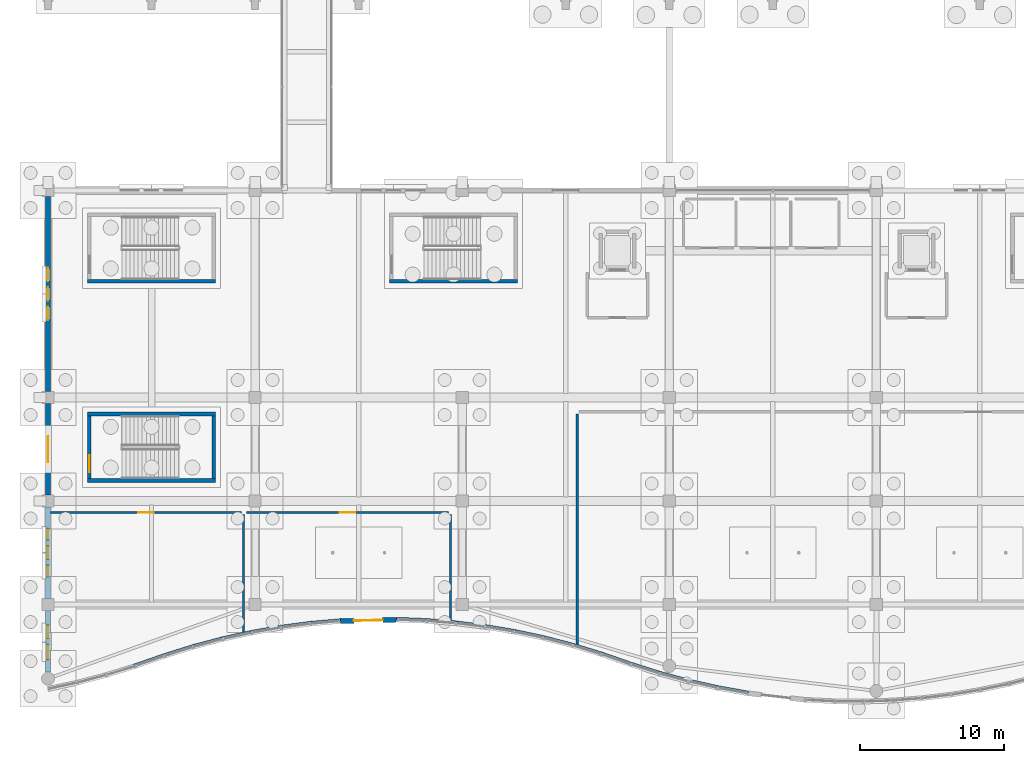
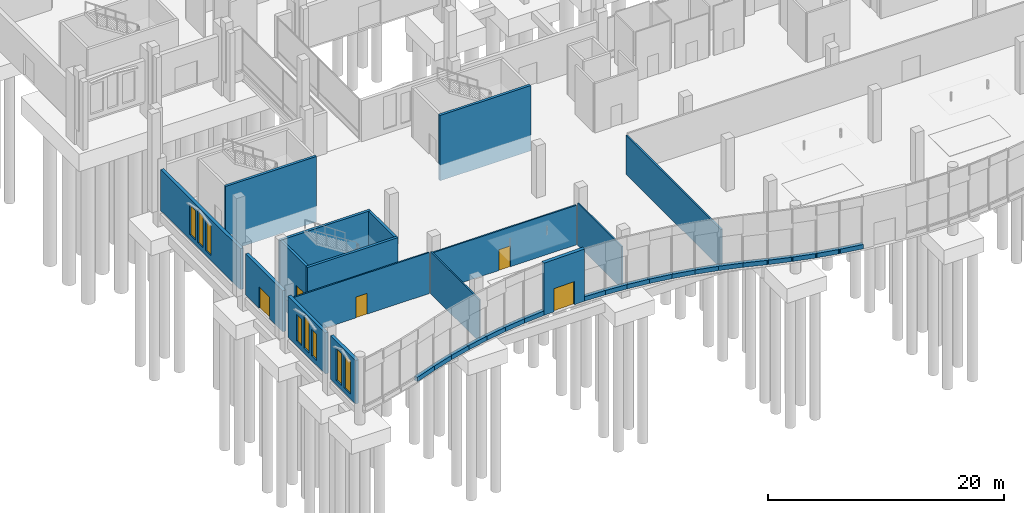
# One storey, part 130 of 192: 36 walls, 8 windows, 5 doors, 13 openings.
"""IFC4 building model written with IfcOpenShell, lengths in metres."""

from ifc_helpers import new_model, si_unit, direction, frame, frame_2d, origin, place, context, subcontext, project, spatial, rectangle, extrude, material, layer, layer_set, type_object, element, fill, save


model = new_model("IFC4")

# Units and contexts
model_context = context("Model", 3, precision=1e-05, world=origin(), true_north=direction((0.0, 1.0)))
body_context = subcontext(model_context, "Body", "Model", "MODEL_VIEW")
ifc_project = project(units=[si_unit("LENGTHUNIT", "METRE"), si_unit("AREAUNIT", "SQUARE_METRE"), si_unit("VOLUMEUNIT", "CUBIC_METRE"), si_unit("PLANEANGLEUNIT", "RADIAN"), si_unit("MASSUNIT", "GRAM", prefix="KILO")], contexts=[model_context])

# Site, building, storey
site_placement = place(None, origin())
site = spatial("IfcSite", under=ifc_project, at=site_placement, CompositionType="ELEMENT")
building_placement = place(site_placement, origin())
building = spatial("IfcBuilding", under=site, at=building_placement, Name="Cendralis Lancet Convention Centre", CompositionType="ELEMENT")
storey_placement = place(building_placement, origin())
storey = spatial("IfcBuildingStorey", under=building, at=storey_placement, Name="L00", CompositionType="ELEMENT", Elevation=0.0)

# Wall, openings, windows
ifc_material_1 = material(Name="Buff sandstone ashlar and Concrete G40 (C40/50)", Category="masonry")
ifc_layer_1 = layer(ifc_material_1, 0.320068359375, Name="Buff sandstone ashlar and Concrete G40 (C40/50)")
ifc_layer_set_1 = layer_set([ifc_layer_1], Name="Buff sandstone ashlar and Concrete G40 (C40/50)")
wall_type_1 = type_object("IfcWallType", Name="ARC-EW-W320", PredefinedType="STANDARD", material=ifc_layer_set_1)
wall_1_placement = place(storey_placement, frame((0.0, 2.50341796875, 0.0), z_axis=(0.0, 0.0, 1.0), x_axis=(0.0, 1.0, 0.0)))
wall_1 = element("IfcWall", 1, at=wall_1_placement, inside=storey, type_object=wall_type_1, Name="L00 V4 Exterior Wall EW-06 #0185", PredefinedType="STANDARD", context=body_context, shape_type="SweptSolid", body=[
    extrude(rectangle(XDim=4.263671875, YDim=0.320068359375, at=frame_2d((2.1318359375, 0.0))), origin(), (0.0, 0.0, 1.0), 4.5048828125),
])
opening_1_placement = place(wall_1_placement, frame((0.871826171875, 0.0, 0.5)))
opening_1 = element("IfcOpeningElement", 2, at=opening_1_placement, cuts=wall_1, Name="Opening WN-06", PredefinedType="OPENING", context=body_context, shape_type="SweptSolid", body=[
    extrude(rectangle(XDim=1.0400390625, YDim=3.47998046875, at=frame_2d((0.52001953125, 1.739990234375))), frame((0.0, 0.169921875, 0.0), z_axis=(0.0, -1.0, 0.0), x_axis=(1.0, 0.0, 0.0)), (0.0, 0.0, 1.0), 0.340087890625),
])
opening_2_placement = place(wall_1_placement, frame((2.351806640625, 0.0, 0.5)))
opening_2 = element("IfcOpeningElement", 3, at=opening_2_placement, cuts=wall_1, Name="Opening WN-04", PredefinedType="OPENING", context=body_context, shape_type="SweptSolid", body=[
    extrude(rectangle(XDim=0.919921875, YDim=3.300048828125, at=frame_2d((0.4599609375, 1.64990234375))), frame((0.0, 0.169921875, 0.0), z_axis=(0.0, -1.0, 0.0), x_axis=(1.0, 0.0, 0.0)), (0.0, 0.0, 1.0), 0.340087890625),
])
ifc_material_2 = material(Name="Double-glazed low-E solar-control glass", Category="glass")
window_type_1 = type_object("IfcWindowType", Name="ARC-WN-LW04", PartitioningType="SINGLE_PANEL", PredefinedType="WINDOW", material=ifc_material_2)
window_1_placement = place(opening_2_placement, origin())
window_1 = element("IfcWindow", 4, at=window_1_placement, inside=storey, type_object=window_type_1, Name="Gothic Lancet Window WN-04 #0360", OverallHeight=3.300048828125, OverallWidth=0.919921875, PartitioningType="SINGLE_PANEL", PredefinedType="WINDOW", context=body_context, shape_type="SweptSolid", body=[
    extrude(rectangle(XDim=0.919921875, YDim=3.300048828125, at=frame_2d((0.4599609375, 1.64990234375))), frame((0.0, 0.030029296875, 0.0), z_axis=(0.0, -1.0, 0.0), x_axis=(1.0, 0.0, 0.0)), (0.0, 0.0, 1.0), 0.06005859375),
])
fill(opening_2, window_1)
window_type_2 = type_object("IfcWindowType", Name="ARC-WN-LW06", PartitioningType="SINGLE_PANEL", PredefinedType="WINDOW", material=ifc_material_2)
window_2_placement = place(opening_1_placement, origin())
window_2 = element("IfcWindow", 5, at=window_2_placement, inside=storey, type_object=window_type_2, Name="Gothic Lancet Window WN-06 #0359", OverallHeight=3.47998046875, OverallWidth=1.0400390625, PartitioningType="SINGLE_PANEL", PredefinedType="WINDOW", context=body_context, shape_type="SweptSolid", body=[
    extrude(rectangle(XDim=1.0400390625, YDim=3.47998046875, at=frame_2d((0.52001953125, 1.739990234375))), frame((0.0, 0.030029296875, 0.0), z_axis=(0.0, -1.0, 0.0), x_axis=(1.0, 0.0, 0.0)), (0.0, 0.0, 1.0), 0.06005859375),
])
fill(opening_1, window_2)

wall_2_placement = place(storey_placement, frame((0.0, 7.633056640625, 0.0), z_axis=(0.0, 0.0, 1.0), x_axis=(0.0, 1.0, 0.0)))
wall_2 = element("IfcWall", 6, at=wall_2_placement, inside=storey, type_object=wall_type_1, Name="L00 V4 Exterior Wall EW-06 #0186", PredefinedType="STANDARD", context=body_context, shape_type="SweptSolid", body=[
    extrude(rectangle(XDim=6.333984375, YDim=0.320068359375, at=frame_2d((3.1669921875, 0.0))), origin(), (0.0, 0.0, 1.0), 4.2548828125),
])
opening_3_placement = place(wall_2_placement, frame((1.487060546875, 0.0, 0.5)))
opening_3 = element("IfcOpeningElement", 7, at=opening_3_placement, cuts=wall_2, Name="Opening WN-07", PredefinedType="OPENING", context=body_context, shape_type="SweptSolid", body=[
    extrude(rectangle(XDim=0.800048828125, YDim=2.75, at=frame_2d((0.39990234375, 1.375))), frame((0.0, 0.169921875, 0.0), z_axis=(0.0, -1.0, 0.0), x_axis=(1.0, 0.0, 0.0)), (0.0, 0.0, 1.0), 0.340087890625),
])
opening_4_placement = place(wall_2_placement, frame((2.70703125, 0.0, 0.5)))
opening_4 = element("IfcOpeningElement", 8, at=opening_4_placement, cuts=wall_2, Name="Opening WN-04", PredefinedType="OPENING", context=body_context, shape_type="SweptSolid", body=[
    extrude(rectangle(XDim=0.919921875, YDim=3.300048828125, at=frame_2d((0.4599609375, 1.64990234375))), frame((0.0, 0.169921875, 0.0), z_axis=(0.0, -1.0, 0.0), x_axis=(1.0, 0.0, 0.0)), (0.0, 0.0, 1.0), 0.340087890625),
])
opening_5_placement = place(wall_2_placement, frame((4.047119140625, 0.0, 0.5)))
opening_5 = element("IfcOpeningElement", 9, at=opening_5_placement, cuts=wall_2, Name="Opening WN-07", PredefinedType="OPENING", context=body_context, shape_type="SweptSolid", body=[
    extrude(rectangle(XDim=0.800048828125, YDim=2.75, at=frame_2d((0.39990234375, 1.375))), frame((0.0, 0.169921875, 0.0), z_axis=(0.0, -1.0, 0.0), x_axis=(1.0, 0.0, 0.0)), (0.0, 0.0, 1.0), 0.340087890625),
])
window_3_placement = place(opening_4_placement, origin())
window_3 = element("IfcWindow", 10, at=window_3_placement, inside=storey, type_object=window_type_1, Name="Gothic Lancet Window WN-04 #0362", OverallHeight=3.300048828125, OverallWidth=0.919921875, PartitioningType="SINGLE_PANEL", PredefinedType="WINDOW", context=body_context, shape_type="SweptSolid", body=[
    extrude(rectangle(XDim=0.919921875, YDim=3.300048828125, at=frame_2d((0.4599609375, 1.64990234375))), frame((0.0, 0.030029296875, 0.0), z_axis=(0.0, -1.0, 0.0), x_axis=(1.0, 0.0, 0.0)), (0.0, 0.0, 1.0), 0.06005859375),
])
fill(opening_4, window_3)
window_type_3 = type_object("IfcWindowType", Name="ARC-WN-LW07", PartitioningType="SINGLE_PANEL", PredefinedType="WINDOW", material=ifc_material_2)
window_4_placement = place(opening_3_placement, origin())
window_4 = element("IfcWindow", 11, at=window_4_placement, inside=storey, type_object=window_type_3, Name="Gothic Lancet Window WN-07 #0361", OverallHeight=2.75, OverallWidth=0.800048828125, PartitioningType="SINGLE_PANEL", PredefinedType="WINDOW", context=body_context, shape_type="SweptSolid", body=[
    extrude(rectangle(XDim=0.800048828125, YDim=2.75, at=frame_2d((0.39990234375, 1.375))), frame((0.0, 0.030029296875, 0.0), z_axis=(0.0, -1.0, 0.0), x_axis=(1.0, 0.0, 0.0)), (0.0, 0.0, 1.0), 0.06005859375),
])
fill(opening_3, window_4)
window_5_placement = place(opening_5_placement, origin())
window_5 = element("IfcWindow", 12, at=window_5_placement, inside=storey, type_object=window_type_3, Name="Gothic Lancet Window WN-07 #0363", OverallHeight=2.75, OverallWidth=0.800048828125, PartitioningType="SINGLE_PANEL", PredefinedType="WINDOW", context=body_context, shape_type="SweptSolid", body=[
    extrude(rectangle(XDim=0.800048828125, YDim=2.75, at=frame_2d((0.39990234375, 1.375))), frame((0.0, 0.030029296875, 0.0), z_axis=(0.0, -1.0, 0.0), x_axis=(1.0, 0.0, 0.0)), (0.0, 0.0, 1.0), 0.06005859375),
])
fill(opening_5, window_5)

# Wall, opening, door
wall_3_placement = place(storey_placement, frame((0.0, 14.8330078125, 0.0), z_axis=(0.0, 0.0, 1.0), x_axis=(0.0, 1.0, 0.0)))
wall_3 = element("IfcWall", 13, at=wall_3_placement, inside=storey, type_object=wall_type_1, Name="L00 V4 Exterior Wall EW-06 #0187", PredefinedType="STANDARD", context=body_context, shape_type="SweptSolid", body=[
    extrude(rectangle(XDim=6.333984375, YDim=0.320068359375, at=frame_2d((3.1669921875, 0.0))), origin(), (0.0, 0.0, 1.0), 4.2548828125),
])
opening_6_placement = place(wall_3_placement, frame((2.26708984375, 0.0, 0.0)))
opening_6 = element("IfcOpeningElement", 14, at=opening_6_placement, cuts=wall_3, Name="Opening EX-D1", PredefinedType="OPENING", context=body_context, shape_type="SweptSolid", body=[
    extrude(rectangle(XDim=1.800048828125, YDim=2.25, at=frame_2d((0.89990234375, 1.125))), frame((0.0, 0.169921875, 0.0), z_axis=(0.0, -1.0, 0.0), x_axis=(1.0, 0.0, 0.0)), (0.0, 0.0, 1.0), 0.340087890625),
])
ifc_material_3 = material(Name="Anodised bronze architectural aluminium", Category="aluminium")
door_type_1 = type_object("IfcDoorType", Name="ARC-DR-EX18", OperationType="NOTDEFINED", PredefinedType="DOOR", material=ifc_material_3)
door_1_placement = place(opening_6_placement, origin())
door_1 = element("IfcDoor", 15, at=door_1_placement, inside=storey, type_object=door_type_1, Name="L00-D046 Pedestrian Final Exit Door EX-48 #048", OperationType="DOUBLE_DOOR_SINGLE_SWING", OverallHeight=2.25, OverallWidth=1.800048828125, PredefinedType="DOOR", context=body_context, shape_type="SweptSolid", body=[
    extrude(rectangle(XDim=1.800048828125, YDim=2.25, at=frame_2d((0.89990234375, 1.125))), frame((0.0, 0.02490234375, 0.0), z_axis=(0.0, -1.0, 0.0), x_axis=(1.0, 0.0, 0.0)), (0.0, 0.0, 1.0), 0.050048828125),
])
fill(opening_6, door_1)

# Wall, openings, windows
wall_4_placement = place(storey_placement, frame((0.0, 22.032958984375, 0.0), z_axis=(0.0, 0.0, 1.0), x_axis=(0.0, 1.0, 0.0)))
wall_4 = element("IfcWall", 16, at=wall_4_placement, inside=storey, type_object=wall_type_1, Name="L00 V4 Exterior Wall EW-06 #0188", PredefinedType="STANDARD", context=body_context, shape_type="SweptSolid", body=[
    extrude(rectangle(XDim=13.533935546875, YDim=0.320068359375, at=frame_2d((6.76708984375, 0.0))), origin(), (0.0, 0.0, 1.0), 4.2548828125),
])
opening_7_placement = place(wall_4_placement, frame((4.947021484375, 0.0, 0.5)))
opening_7 = element("IfcOpeningElement", 17, at=opening_7_placement, cuts=wall_4, Name="Opening WN-09", PredefinedType="OPENING", context=body_context, shape_type="SweptSolid", body=[
    extrude(rectangle(XDim=0.93994140625, YDim=3.10009765625, at=frame_2d((0.469970703125, 1.550048828125))), frame((0.0, 0.169921875, 0.0), z_axis=(0.0, -1.0, 0.0), x_axis=(1.0, 0.0, 0.0)), (0.0, 0.0, 1.0), 0.340087890625),
])
opening_8_placement = place(wall_4_placement, frame((6.306884765625, 0.0, 0.5)))
opening_8 = element("IfcOpeningElement", 18, at=opening_8_placement, cuts=wall_4, Name="Opening WN-04", PredefinedType="OPENING", context=body_context, shape_type="SweptSolid", body=[
    extrude(rectangle(XDim=0.919921875, YDim=3.300048828125, at=frame_2d((0.4599609375, 1.64990234375))), frame((0.0, 0.169921875, 0.0), z_axis=(0.0, -1.0, 0.0), x_axis=(1.0, 0.0, 0.0)), (0.0, 0.0, 1.0), 0.340087890625),
])
opening_9_placement = place(wall_4_placement, frame((7.64697265625, 0.0, 0.5)))
opening_9 = element("IfcOpeningElement", 19, at=opening_9_placement, cuts=wall_4, Name="Opening WN-09", PredefinedType="OPENING", context=body_context, shape_type="SweptSolid", body=[
    extrude(rectangle(XDim=0.93994140625, YDim=3.10009765625, at=frame_2d((0.469970703125, 1.550048828125))), frame((0.0, 0.169921875, 0.0), z_axis=(0.0, -1.0, 0.0), x_axis=(1.0, 0.0, 0.0)), (0.0, 0.0, 1.0), 0.340087890625),
])
window_6_placement = place(opening_8_placement, origin())
window_6 = element("IfcWindow", 20, at=window_6_placement, inside=storey, type_object=window_type_1, Name="Gothic Lancet Window WN-04 #0365", OverallHeight=3.300048828125, OverallWidth=0.919921875, PartitioningType="SINGLE_PANEL", PredefinedType="WINDOW", context=body_context, shape_type="SweptSolid", body=[
    extrude(rectangle(XDim=0.919921875, YDim=3.300048828125, at=frame_2d((0.4599609375, 1.64990234375))), frame((0.0, 0.030029296875, 0.0), z_axis=(0.0, -1.0, 0.0), x_axis=(1.0, 0.0, 0.0)), (0.0, 0.0, 1.0), 0.06005859375),
])
fill(opening_8, window_6)
window_type_4 = type_object("IfcWindowType", Name="ARC-WN-LW09", PartitioningType="SINGLE_PANEL", PredefinedType="WINDOW", material=ifc_material_2)
window_7_placement = place(opening_7_placement, origin())
window_7 = element("IfcWindow", 21, at=window_7_placement, inside=storey, type_object=window_type_4, Name="Gothic Lancet Window WN-09 #0364", OverallHeight=3.10009765625, OverallWidth=0.93994140625, PartitioningType="SINGLE_PANEL", PredefinedType="WINDOW", context=body_context, shape_type="SweptSolid", body=[
    extrude(rectangle(XDim=0.93994140625, YDim=3.10009765625, at=frame_2d((0.469970703125, 1.550048828125))), frame((0.0, 0.030029296875, 0.0), z_axis=(0.0, -1.0, 0.0), x_axis=(1.0, 0.0, 0.0)), (0.0, 0.0, 1.0), 0.06005859375),
])
fill(opening_7, window_7)
window_8_placement = place(opening_9_placement, origin())
window_8 = element("IfcWindow", 22, at=window_8_placement, inside=storey, type_object=window_type_4, Name="Gothic Lancet Window WN-09 #0366", OverallHeight=3.10009765625, OverallWidth=0.93994140625, PartitioningType="SINGLE_PANEL", PredefinedType="WINDOW", context=body_context, shape_type="SweptSolid", body=[
    extrude(rectangle(XDim=0.93994140625, YDim=3.10009765625, at=frame_2d((0.469970703125, 1.550048828125))), frame((0.0, 0.030029296875, 0.0), z_axis=(0.0, -1.0, 0.0), x_axis=(1.0, 0.0, 0.0)), (0.0, 0.0, 1.0), 0.06005859375),
])
fill(opening_9, window_8)

# Walls
ifc_layer_2 = layer(ifc_material_1, 0.340087890625, Name="Buff sandstone ashlar and Concrete G40 (C40/50)")
ifc_layer_set_2 = layer_set([ifc_layer_2], Name="Buff sandstone ashlar and Concrete G40 (C40/50)")
wall_type_2 = type_object("IfcWallType", Name="ARC-EW-W340", PredefinedType="STANDARD", material=ifc_layer_set_2)
wall_5_placement = place(storey_placement, frame((5.99560546875, 2.89306640625, 0.0), z_axis=(0.0, 0.0, 1.0), x_axis=(0.94443416272, 0.328700642359, 0.0)))
element("IfcWall", 23, at=wall_5_placement, inside=storey, type_object=wall_type_2, Name="South Wave Stone Plinth WP-004-WP-005", PredefinedType="STANDARD", context=body_context, shape_type="SweptSolid", body=[
    extrude(rectangle(XDim=2.314453125, YDim=0.340087890625, at=frame_2d((1.1572265625, 0.0))), origin(), (0.0, 0.0, 1.0), 0.449951171875),
])
wall_6_placement = place(storey_placement, frame((8.02001953125, 3.6005859375, 0.0), z_axis=(0.0, 0.0, 1.0), x_axis=(0.954309219856, 0.29882087092, 0.0)))
element("IfcWall", 24, at=wall_6_placement, inside=storey, type_object=wall_type_2, Name="South Wave Stone Plinth WP-005-WP-006", PredefinedType="STANDARD", context=body_context, shape_type="SweptSolid", body=[
    extrude(rectangle(XDim=2.291748046875, YDim=0.340087890625, at=frame_2d((1.14599609375, 0.0))), origin(), (0.0, 0.0, 1.0), 0.449951171875),
])
wall_7_placement = place(storey_placement, frame((10.043701171875, 4.23828125, 0.0), z_axis=(0.0, 0.0, 1.0), x_axis=(0.966488469337, 0.256710028318, 0.0)))
element("IfcWall", 25, at=wall_7_placement, inside=storey, type_object=wall_type_2, Name="South Wave Stone Plinth WP-006-WP-007", PredefinedType="STANDARD", context=body_context, shape_type="SweptSolid", body=[
    extrude(rectangle(XDim=2.265380859375, YDim=0.340087890625, at=frame_2d((1.1328125, 0.0))), origin(), (0.0, 0.0, 1.0), 0.449951171875),
])
wall_8_placement = place(storey_placement, frame((12.068115234375, 4.77978515625, 0.0), z_axis=(0.0, 0.0, 1.0), x_axis=(0.976716550921, 0.214533864827, 0.0)))
element("IfcWall", 26, at=wall_8_placement, inside=storey, type_object=wall_type_2, Name="South Wave Stone Plinth WP-007-WP-008", PredefinedType="STANDARD", context=body_context, shape_type="SweptSolid", body=[
    extrude(rectangle(XDim=2.244140625, YDim=0.340087890625, at=frame_2d((1.1220703125, 0.0))), origin(), (0.0, 0.0, 1.0), 0.449951171875),
])
wall_9_placement = place(storey_placement, frame((14.09326171875, 5.228271484375, 0.0), z_axis=(0.0, 0.0, 1.0), x_axis=(0.984965211382, 0.172752807119, 0.0)))
element("IfcWall", 27, at=wall_9_placement, inside=storey, type_object=wall_type_2, Name="South Wave Stone Plinth WP-008-WP-009", PredefinedType="STANDARD", context=body_context, shape_type="SweptSolid", body=[
    extrude(rectangle(XDim=2.225830078125, YDim=0.340087890625, at=frame_2d((1.11279296875, 0.0))), origin(), (0.0, 0.0, 1.0), 0.449951171875),
])
wall_10_placement = place(storey_placement, frame((16.11767578125, 5.5869140625, 0.0), z_axis=(0.0, 0.0, 1.0), x_axis=(0.991486191208, 0.130211875974, 0.0)))
element("IfcWall", 28, at=wall_10_placement, inside=storey, type_object=wall_type_2, Name="South Wave Stone Plinth WP-009-WP-010", PredefinedType="STANDARD", context=body_context, shape_type="SweptSolid", body=[
    extrude(rectangle(XDim=2.21240234375, YDim=0.340087890625, at=frame_2d((1.106201171875, 0.0))), origin(), (0.0, 0.0, 1.0), 0.449951171875),
])
wall_11_placement = place(storey_placement, frame((18.142333984375, 5.8564453125, 0.0), z_axis=(0.0, 0.0, 1.0), x_axis=(0.996110991358, 0.088107280611, 0.0)))
element("IfcWall", 29, at=wall_11_placement, inside=storey, type_object=wall_type_2, Name="South Wave Stone Plinth WP-010-WP-011", PredefinedType="STANDARD", context=body_context, shape_type="SweptSolid", body=[
    extrude(rectangle(XDim=2.202880859375, YDim=0.340087890625, at=frame_2d((1.1015625, 0.0))), origin(), (0.0, 0.0, 1.0), 0.449951171875),
])

# Wall, opening, door
wall_12_placement = place(storey_placement, frame((20.251953125, 6.04296875, 0.0), z_axis=(0.0, 0.0, 1.0), x_axis=(0.99969486707, 0.024701675134, 0.0)))
wall_12 = element("IfcWall", 30, at=wall_12_placement, inside=storey, type_object=wall_type_2, Name="Boulevard Wave Entrance Portal Wall WP-011-WP-013", PredefinedType="STANDARD", context=body_context, shape_type="SweptSolid", body=[
    extrude(rectangle(XDim=4.05224609375, YDim=0.340087890625, at=frame_2d((2.026123046875, 0.0))), origin(), (0.0, 0.0, 1.0), 5.39990234375),
])
opening_10_placement = place(wall_12_placement, frame((1.026123046875, 0.0, 0.0)))
opening_10 = element("IfcOpeningElement", 31, at=opening_10_placement, cuts=wall_12, Name="Opening EX-D2", PredefinedType="OPENING", context=body_context, shape_type="SweptSolid", body=[
    extrude(rectangle(XDim=2.0, YDim=2.39990234375, at=frame_2d((1.0, 1.199951171875))), frame((0.0, 0.179931640625, 0.0), z_axis=(0.0, -1.0, 0.0), x_axis=(1.0, 0.0, 0.0)), (0.0, 0.0, 1.0), 0.360107421875),
])
door_type_2 = type_object("IfcDoorType", Name="ARC-DR-EX20", OperationType="NOTDEFINED", PredefinedType="DOOR", material=ifc_material_3)
door_2_placement = place(opening_10_placement, frame((2.0, 0.0, 0.0), z_axis=(0.0, 0.0, 1.0), x_axis=(-1.0, 0.0, 0.0)))
door_2 = element("IfcDoor", 32, at=door_2_placement, inside=storey, type_object=door_type_2, Name="L00-D001 Pedestrian Final Exit Door EX-01 #001", OperationType="DOUBLE_DOOR_SINGLE_SWING", OverallHeight=2.39990234375, OverallWidth=2.0, PredefinedType="DOOR", context=body_context, shape_type="SweptSolid", body=[
    extrude(rectangle(XDim=2.0, YDim=2.39990234375, at=frame_2d((1.0, 1.199951171875))), frame((0.0, 0.02490234375, 0.0), z_axis=(0.0, -1.0, 0.0), x_axis=(1.0, 0.0, 0.0)), (0.0, 0.0, 1.0), 0.050048828125),
])
fill(opening_10, door_2)

# Walls
wall_13_placement = place(storey_placement, frame((24.218017578125, 6.146240234375, 0.0), z_axis=(0.0, 0.0, 1.0), x_axis=(0.999243004404, -0.038902675366, 0.0)))
element("IfcWall", 33, at=wall_13_placement, inside=storey, type_object=wall_type_2, Name="South Wave Stone Plinth WP-013-WP-014", PredefinedType="STANDARD", context=body_context, shape_type="SweptSolid", body=[
    extrude(rectangle(XDim=2.196533203125, YDim=0.340087890625, at=frame_2d((1.09814453125, 0.0))), origin(), (0.0, 0.0, 1.0), 0.449951171875),
])
wall_14_placement = place(storey_placement, frame((26.243408203125, 6.07080078125, 0.0), z_axis=(0.0, 0.0, 1.0), x_axis=(0.996735804633, -0.080732495079, 0.0)))
element("IfcWall", 34, at=wall_14_placement, inside=storey, type_object=wall_type_2, Name="South Wave Stone Plinth WP-014-WP-015", PredefinedType="STANDARD", context=body_context, shape_type="SweptSolid", body=[
    extrude(rectangle(XDim=2.201416015625, YDim=0.340087890625, at=frame_2d((1.1005859375, 0.0))), origin(), (0.0, 0.0, 1.0), 0.449951171875),
])
wall_15_placement = place(storey_placement, frame((28.2685546875, 5.910400390625, 0.0), z_axis=(0.0, 0.0, 1.0), x_axis=(0.992403097248, -0.123028828214, 0.0)))
element("IfcWall", 35, at=wall_15_placement, inside=storey, type_object=wall_type_2, Name="South Wave Stone Plinth WP-015-WP-016", PredefinedType="STANDARD", context=body_context, shape_type="SweptSolid", body=[
    extrude(rectangle(XDim=2.210693359375, YDim=0.340087890625, at=frame_2d((1.10546875, 0.0))), origin(), (0.0, 0.0, 1.0), 0.449951171875),
])
wall_16_placement = place(storey_placement, frame((30.294189453125, 5.6630859375, 0.0), z_axis=(0.0, 0.0, 1.0), x_axis=(0.986277976668, -0.165093163818, 0.0)))
element("IfcWall", 36, at=wall_16_placement, inside=storey, type_object=wall_type_2, Name="South Wave Stone Plinth WP-016-WP-017", PredefinedType="STANDARD", context=body_context, shape_type="SweptSolid", body=[
    extrude(rectangle(XDim=2.22412109375, YDim=0.340087890625, at=frame_2d((1.112060546875, 0.0))), origin(), (0.0, 0.0, 1.0), 0.449951171875),
])
wall_17_placement = place(storey_placement, frame((32.32080078125, 5.32763671875, 0.0), z_axis=(0.0, 0.0, 1.0), x_axis=(0.97818986033, -0.2077127756, 0.0)))
element("IfcWall", 37, at=wall_17_placement, inside=storey, type_object=wall_type_2, Name="South Wave Stone Plinth WP-017-WP-018", PredefinedType="STANDARD", context=body_context, shape_type="SweptSolid", body=[
    extrude(rectangle(XDim=2.240234375, YDim=0.340087890625, at=frame_2d((1.1201171875, 0.0))), origin(), (0.0, 0.0, 1.0), 0.449951171875),
])
wall_18_placement = place(storey_placement, frame((34.3466796875, 4.901123046875, 0.0), z_axis=(0.0, 0.0, 1.0), x_axis=(0.968370793585, -0.249515542867, 0.0)))
element("IfcWall", 38, at=wall_18_placement, inside=storey, type_object=wall_type_2, Name="South Wave Stone Plinth WP-018-WP-019", PredefinedType="STANDARD", context=body_context, shape_type="SweptSolid", body=[
    extrude(rectangle(XDim=2.26123046875, YDim=0.340087890625, at=frame_2d((1.130615234375, 0.0))), origin(), (0.0, 0.0, 1.0), 0.449951171875),
])
wall_19_placement = place(storey_placement, frame((36.372802734375, 4.3828125, 0.0), z_axis=(0.0, 0.0, 1.0), x_axis=(0.956434397386, -0.291947330006, 0.0)))
element("IfcWall", 39, at=wall_19_placement, inside=storey, type_object=wall_type_2, Name="South Wave Stone Plinth WP-019-WP-020", PredefinedType="STANDARD", context=body_context, shape_type="SweptSolid", body=[
    extrude(rectangle(XDim=2.287109375, YDim=0.340087890625, at=frame_2d((1.1435546875, 0.0))), origin(), (0.0, 0.0, 1.0), 0.449951171875),
])
wall_20_placement = place(storey_placement, frame((38.398681640625, 3.767822265625, 0.0), z_axis=(0.0, 0.0, 1.0), x_axis=(0.944599198261, -0.328226072464, 0.0)))
element("IfcWall", 40, at=wall_20_placement, inside=storey, type_object=wall_type_2, Name="South Wave Stone Plinth WP-020-WP-021", PredefinedType="STANDARD", context=body_context, shape_type="SweptSolid", body=[
    extrude(rectangle(XDim=2.314697265625, YDim=0.340087890625, at=frame_2d((1.1572265625, 0.0))), origin(), (0.0, 0.0, 1.0), 0.449951171875),
])
wall_21_placement = place(storey_placement, frame((40.424072265625, 3.061767578125, 0.0), z_axis=(0.0, 0.0, 1.0), x_axis=(0.953087731767, -0.302694194784, 0.0)))
element("IfcWall", 41, at=wall_21_placement, inside=storey, type_object=wall_type_2, Name="South Wave Stone Plinth WP-021-WP-022", PredefinedType="STANDARD", context=body_context, shape_type="SweptSolid", body=[
    extrude(rectangle(XDim=2.294677734375, YDim=0.340087890625, at=frame_2d((1.1474609375, 0.0))), origin(), (0.0, 0.0, 1.0), 0.449951171875),
])
wall_22_placement = place(storey_placement, frame((42.447998046875, 2.415283203125, 0.0), z_axis=(0.0, 0.0, 1.0), x_axis=(0.965377316221, -0.26085750387, 0.0)))
element("IfcWall", 42, at=wall_22_placement, inside=storey, type_object=wall_type_2, Name="South Wave Stone Plinth WP-022-WP-023", PredefinedType="STANDARD", context=body_context, shape_type="SweptSolid", body=[
    extrude(rectangle(XDim=2.267822265625, YDim=0.340087890625, at=frame_2d((1.1337890625, 0.0))), origin(), (0.0, 0.0, 1.0), 0.449951171875),
])
wall_23_placement = place(storey_placement, frame((44.47216796875, 1.864501953125, 0.0), z_axis=(0.0, 0.0, 1.0), x_axis=(0.975886725663, -0.218277572541, 0.0)))
element("IfcWall", 43, at=wall_23_placement, inside=storey, type_object=wall_type_2, Name="South Wave Stone Plinth WP-023-WP-024", PredefinedType="STANDARD", context=body_context, shape_type="SweptSolid", body=[
    extrude(rectangle(XDim=2.244873046875, YDim=0.340087890625, at=frame_2d((1.12255859375, 0.0))), origin(), (0.0, 0.0, 1.0), 0.449951171875),
])
wall_24_placement = place(storey_placement, frame((46.496337890625, 1.407958984375, 0.0), z_axis=(0.0, 0.0, 1.0), x_axis=(0.984319043851, -0.17639733533, 0.0)))
element("IfcWall", 44, at=wall_24_placement, inside=storey, type_object=wall_type_2, Name="South Wave Stone Plinth WP-024-WP-025", PredefinedType="STANDARD", context=body_context, shape_type="SweptSolid", body=[
    extrude(rectangle(XDim=2.228271484375, YDim=0.340087890625, at=frame_2d((1.1142578125, 0.0))), origin(), (0.0, 0.0, 1.0), 0.449951171875),
])

# Wall, opening, door
ifc_material_4 = material(Name="Acoustic fire-rated gypsum board on steel studs", Category="steel")
ifc_layer_3 = layer(ifc_material_4, 0.139892578125, Name="Acoustic fire-rated gypsum board on steel studs")
ifc_layer_set_3 = layer_set([ifc_layer_3], Name="Acoustic fire-rated gypsum board on steel studs")
wall_type_3 = type_object("IfcWallType", Name="ARC-IW-P140", PredefinedType="PARTITIONING", material=ifc_layer_set_3)
wall_25_placement = place(storey_placement, frame((0.169921875, 13.60009765625, 0.0), z_axis=(0.0, 0.0, 1.0), x_axis=(1.0, 0.0, 0.0)))
wall_25 = element("IfcWall", 45, at=wall_25_placement, inside=storey, type_object=wall_type_3, Name="L00 Interior Partition IW-04 #0205", PredefinedType="PARTITIONING", context=body_context, shape_type="SweptSolid", body=[
    extrude(rectangle(XDim=13.2900390625, YDim=0.139892578125, at=frame_2d((6.64501953125, 0.0))), origin(), (0.0, 0.0, 1.0), 4.2548828125),
])
opening_11_placement = place(wall_25_placement, frame((6.094970703125, 0.0, 0.0)))
opening_11 = element("IfcOpeningElement", 46, at=opening_11_placement, cuts=wall_25, Name="Opening FD-11", PredefinedType="OPENING", context=body_context, shape_type="SweptSolid", body=[
    extrude(rectangle(XDim=1.10009765625, YDim=2.14990234375, at=frame_2d((0.550048828125, 1.074951171875))), frame((0.0, 0.079833984375, 0.0), z_axis=(0.0, -1.0, 0.0), x_axis=(1.0, 0.0, 0.0)), (0.0, 0.0, 1.0), 0.159912109375),
])
ifc_material_5 = material(Name="Steel S355", Category="steel")
door_type_3 = type_object("IfcDoorType", Name="ARC-DR-FF11", OperationType="NOTDEFINED", PredefinedType="DOOR", material=ifc_material_5)
door_3_placement = place(opening_11_placement, origin())
door_3 = element("IfcDoor", 47, at=door_3_placement, inside=storey, type_object=door_type_3, Name="L00-D075 L00 Interior Door FD-11 #0068", OperationType="SINGLE_SWING_RIGHT", OverallHeight=2.14990234375, OverallWidth=1.10009765625, PredefinedType="DOOR", context=body_context, shape_type="SweptSolid", body=[
    extrude(rectangle(XDim=1.10009765625, YDim=2.14990234375, at=frame_2d((0.550048828125, 1.074951171875))), frame((0.0, 0.02490234375, 0.0), z_axis=(0.0, -1.0, 0.0), x_axis=(1.0, 0.0, 0.0)), (0.0, 0.0, 1.0), 0.050048828125),
])
fill(opening_11, door_3)

# Wall
wall_26_placement = place(storey_placement, frame((13.60009765625, 5.18603515625, 0.0), z_axis=(0.0, 0.0, 1.0), x_axis=(0.0, 1.0, 0.0)))
element("IfcWall", 48, at=wall_26_placement, inside=storey, type_object=wall_type_3, Name="L00 Interior Partition IW-04 #0206", PredefinedType="PARTITIONING", context=body_context, shape_type="SweptSolid", body=[
    extrude(rectangle(XDim=8.27392578125, YDim=0.139892578125, at=frame_2d((4.136962890625, 0.0))), origin(), (0.0, 0.0, 1.0), 4.35498046875),
])

# Wall, opening, door
wall_27_placement = place(storey_placement, frame((13.800048828125, 13.60009765625, 0.0), z_axis=(0.0, 0.0, 1.0), x_axis=(1.0, 0.0, 0.0)))
wall_27 = element("IfcWall", 49, at=wall_27_placement, inside=storey, type_object=wall_type_3, Name="L00 Interior Partition IW-04 #0207", PredefinedType="PARTITIONING", context=body_context, shape_type="SweptSolid", body=[
    extrude(rectangle(XDim=14.06005859375, YDim=0.139892578125, at=frame_2d((7.030029296875, 0.0))), origin(), (0.0, 0.0, 1.0), 4.10498046875),
])
opening_12_placement = place(wall_27_placement, frame((6.47998046875, 0.0, 0.0)))
opening_12 = element("IfcOpeningElement", 50, at=opening_12_placement, cuts=wall_27, Name="Opening FD-11", PredefinedType="OPENING", context=body_context, shape_type="SweptSolid", body=[
    extrude(rectangle(XDim=1.10009765625, YDim=2.14990234375, at=frame_2d((0.550048828125, 1.074951171875))), frame((0.0, 0.079833984375, 0.0), z_axis=(0.0, -1.0, 0.0), x_axis=(1.0, 0.0, 0.0)), (0.0, 0.0, 1.0), 0.159912109375),
])
door_4_placement = place(opening_12_placement, frame((1.10009765625, 0.0, 0.0), z_axis=(0.0, 0.0, 1.0), x_axis=(-1.0, 0.0, 0.0)))
door_4 = element("IfcDoor", 51, at=door_4_placement, inside=storey, type_object=door_type_3, Name="L00-D076 L00 Interior Door FD-11 #0069", OperationType="SINGLE_SWING_LEFT", OverallHeight=2.14990234375, OverallWidth=1.10009765625, PredefinedType="DOOR", context=body_context, shape_type="SweptSolid", body=[
    extrude(rectangle(XDim=1.10009765625, YDim=2.14990234375, at=frame_2d((0.550048828125, 1.074951171875))), frame((0.0, 0.02490234375, 0.0), z_axis=(0.0, -1.0, 0.0), x_axis=(1.0, 0.0, 0.0)), (0.0, 0.0, 1.0), 0.050048828125),
])
fill(opening_12, door_4)

# Walls
wall_28_placement = place(storey_placement, frame((28.0, 5.9951171875, 0.0), z_axis=(0.0, 0.0, 1.0), x_axis=(0.0, 1.0, 0.0)))
element("IfcWall", 52, at=wall_28_placement, inside=storey, type_object=wall_type_3, Name="L00 Interior Partition IW-04 #0208", PredefinedType="PARTITIONING", context=body_context, shape_type="SweptSolid", body=[
    extrude(rectangle(XDim=7.46484375, YDim=0.139892578125, at=frame_2d((3.732421875, 0.0))), origin(), (0.0, 0.0, 1.0), 4.35498046875),
])
ifc_layer_4 = layer(ifc_material_4, 0.159912109375, Name="Acoustic fire-rated gypsum board on steel studs")
ifc_layer_set_4 = layer_set([ifc_layer_4], Name="Acoustic fire-rated gypsum board on steel studs")
wall_type_4 = type_object("IfcWallType", Name="ARC-IW-P160", PredefinedType="PARTITIONING", material=ifc_layer_set_4)
wall_29_placement = place(storey_placement, frame((36.800048828125, 4.319580078125, 0.0), z_axis=(0.0, 0.0, 1.0), x_axis=(0.0, 1.0, 0.0)))
element("IfcWall", 53, at=wall_29_placement, inside=storey, type_object=wall_type_4, Name="L00 Interior Partition IW-03 #0202", PredefinedType="PARTITIONING", context=body_context, shape_type="SweptSolid", body=[
    extrude(rectangle(XDim=16.140380859375, YDim=0.159912109375, at=frame_2d((8.0703125, 0.0))), origin(), (0.0, 0.0, 1.0), 4.054931640625),
])
ifc_material_6 = material(Name="Concrete G40 (C40/50)", Category="concrete")
ifc_layer_5 = layer(ifc_material_6, 0.25, Name="Concrete G40 (C40/50)")
ifc_layer_set_5 = layer_set([ifc_layer_5], Name="Concrete G40 (C40/50)")
wall_type_5 = type_object("IfcWallType", Name="STR-SW-CW250", PredefinedType="SHEAR", material=ifc_layer_set_5)
wall_30_placement = place(storey_placement, frame((23.75, 29.675048828125, -1.64990234375), z_axis=(0.0, 0.0, 1.0), x_axis=(1.0, 0.0, 0.0)))
element("IfcWall", 54, at=wall_30_placement, inside=storey, type_object=wall_type_5, Name="L00 Stair Core ST-11 South Shear Wall", PredefinedType="SHEAR", context=body_context, shape_type="SweptSolid", body=[
    extrude(rectangle(XDim=8.89990234375, YDim=0.25, at=frame_2d((4.449951171875, 0.0))), origin(), (0.0, 0.0, 1.0), 6.77001953125),
])
wall_31_placement = place(storey_placement, frame((2.875, 15.949951171875, -1.64990234375), z_axis=(0.0, 0.0, 1.0), x_axis=(0.0, 1.0, 0.0)))
element("IfcWall", 55, at=wall_31_placement, inside=storey, type_object=wall_type_5, Name="L00 Stair Core ST-17 West Base Stem", PredefinedType="SHEAR", context=body_context, shape_type="SweptSolid", body=[
    extrude(rectangle(XDim=4.380126953125, YDim=0.25, at=frame_2d((2.18994140625, 0.0))), origin(), (0.0, 0.0, 1.0), 1.309814453125),
])

# Wall, opening, door
wall_32_placement = place(storey_placement, frame((2.875, 15.949951171875, 0.0), z_axis=(0.0, 0.0, 1.0), x_axis=(0.0, 1.0, 0.0)))
wall_32 = element("IfcWall", 56, at=wall_32_placement, inside=storey, type_object=wall_type_5, Name="L00 Stair Core ST-17 West Shear Wall", PredefinedType="SHEAR", context=body_context, shape_type="SweptSolid", body=[
    extrude(rectangle(XDim=4.380126953125, YDim=0.25, at=frame_2d((2.18994140625, 0.0))), origin(), (0.0, 0.0, 1.0), 5.1201171875),
])
opening_13_placement = place(wall_32_placement, frame((0.449951171875, 0.0, 0.0)))
opening_13 = element("IfcOpeningElement", 57, at=opening_13_placement, cuts=wall_32, Name="Opening SD-12", PredefinedType="OPENING", context=body_context, shape_type="SweptSolid", body=[
    extrude(rectangle(XDim=1.199951171875, YDim=2.14990234375, at=frame_2d((0.60009765625, 1.074951171875))), frame((0.0, 0.135009765625, 0.0), z_axis=(0.0, -1.0, 0.0), x_axis=(1.0, 0.0, 0.0)), (0.0, 0.0, 1.0), 0.27001953125),
])
door_type_4 = type_object("IfcDoorType", Name="ARC-DR-ST12", OperationType="NOTDEFINED", PredefinedType="DOOR", material=ifc_material_5)
door_5_placement = place(opening_13_placement, origin())
door_5 = element("IfcDoor", 58, at=door_5_placement, inside=storey, type_object=door_type_4, Name="L00-D134 L00 Exit Stair ST-17 Fire Door", OperationType="SINGLE_SWING_LEFT", OverallHeight=2.14990234375, OverallWidth=1.199951171875, PredefinedType="DOOR", context=body_context, shape_type="SweptSolid", body=[
    extrude(rectangle(XDim=1.199951171875, YDim=2.14990234375, at=frame_2d((0.60009765625, 1.074951171875))), frame((0.0, 0.02490234375, 0.0), z_axis=(0.0, -1.0, 0.0), x_axis=(1.0, 0.0, 0.0)), (0.0, 0.0, 1.0), 0.050048828125),
])
fill(opening_13, door_5)

# Walls
wall_33_placement = place(storey_placement, frame((11.52490234375, 15.949951171875, -1.64990234375), z_axis=(0.0, 0.0, 1.0), x_axis=(0.0, 1.0, 0.0)))
element("IfcWall", 59, at=wall_33_placement, inside=storey, type_object=wall_type_5, Name="L00 Stair Core ST-17 East Shear Wall", PredefinedType="SHEAR", context=body_context, shape_type="SweptSolid", body=[
    extrude(rectangle(XDim=4.380126953125, YDim=0.25, at=frame_2d((2.18994140625, 0.0))), origin(), (0.0, 0.0, 1.0), 6.77001953125),
])
for number, where, z_axis, x_axis, name in (
    (60, (2.75, 15.824951171875, -1.64990234375), (0.0, 0.0, 1.0), (1.0, 0.0, 0.0), "L00 Stair Core ST-17 South Shear Wall"),
    (61, (2.75, 20.455078125, -1.64990234375), (0.0, 0.0, 1.0), (1.0, 0.0, 0.0), "L00 Stair Core ST-17 North Shear Wall"),
    (62, (2.75, 29.675048828125, -1.64990234375), (0.0, 0.0, 1.0), (1.0, 0.0, 0.0), "L00 Stair Core ST-20 South Shear Wall"),
):
    element("IfcWall", number, at=place(storey_placement, frame(where, z_axis=z_axis, x_axis=x_axis)), inside=storey, type_object=wall_type_5, Name=name, PredefinedType="SHEAR", context=body_context, shape_type="SweptSolid", body=[
        extrude(rectangle(XDim=8.89990234375, YDim=0.25, at=frame_2d((4.449951171875, 0.0))), origin(), (0.0, 0.0, 1.0), 6.77001953125),
    ])

save(model, "model.ifc")
